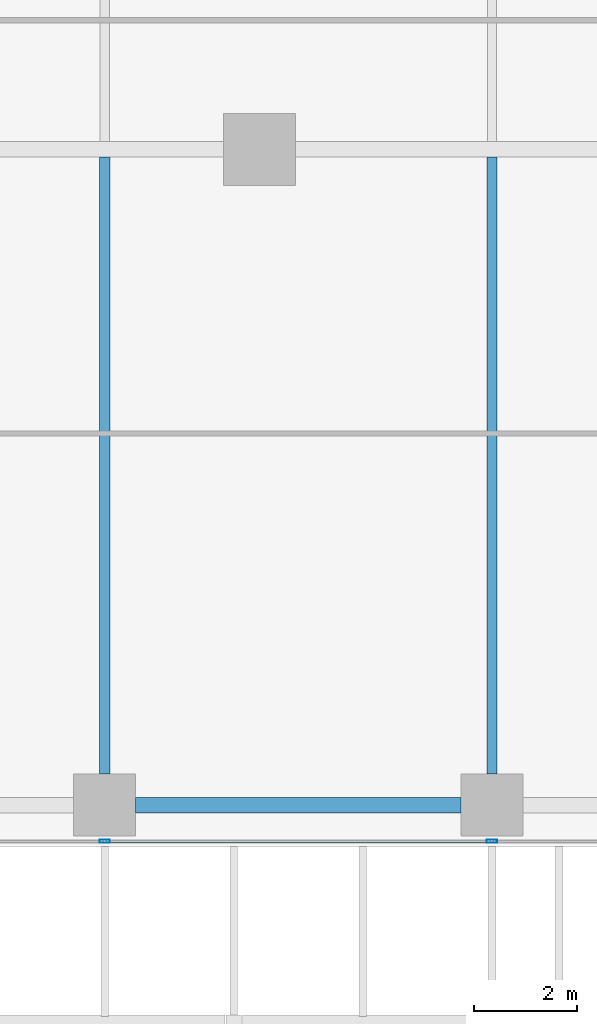
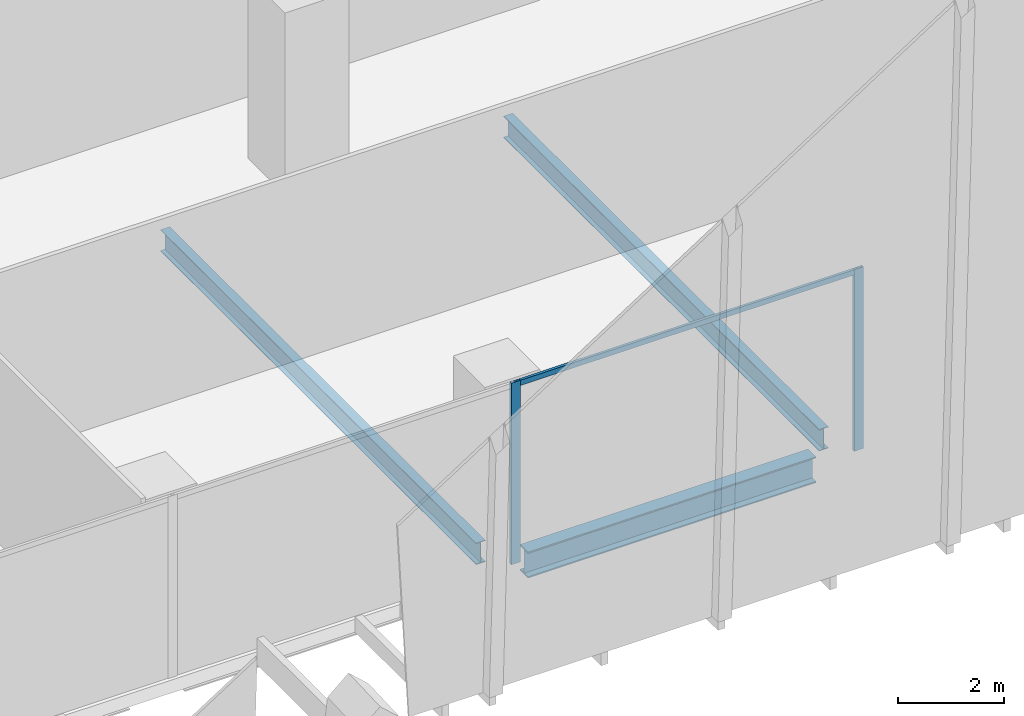
# One storey, part 7 of 35: 3 beams, 3 members, 1 element without a shape of its own.
"""IFC4 building model written with IfcOpenShell, lengths in metres."""

from ifc_helpers import new_model, si_unit, direction, frame, origin, origin_2d, place, context, subcontext, project, spatial, hollow_rectangle, i_section, extrude, source, transform, mapped, material, material_profile, profile_set, type_object, element, aggregate, save


model = new_model("IFC4")

# Units and contexts
model_context = context("Model", 3, precision=1e-05, world=origin(), true_north=direction((0.0, 1.0)))
body_context = subcontext(model_context, "Body", "Model", "MODEL_VIEW")
ifc_project = project(units=[si_unit("LENGTHUNIT", "METRE"), si_unit("AREAUNIT", "SQUARE_METRE"), si_unit("VOLUMEUNIT", "CUBIC_METRE"), si_unit("PLANEANGLEUNIT", "RADIAN"), si_unit("MASSUNIT", "GRAM", prefix="KILO")], contexts=[model_context])

# Site, building, storey
site_placement = place(None, origin())
site = spatial("IfcSite", under=ifc_project, at=site_placement, CompositionType="ELEMENT")
building_placement = place(site_placement, origin())
building = spatial("IfcBuilding", under=site, at=building_placement, Name="Khomas Fold Tower", CompositionType="ELEMENT")
storey_placement = place(building_placement, frame((0.0, 0.0, 87.0)))
storey = spatial("IfcBuildingStorey", under=building, at=storey_placement, Name="L18", CompositionType="ELEMENT", Elevation=87.0)

# Beams
ifc_material_1 = material(Name="Steel S355", Category="steel")
ifc_material_profile_1 = material_profile(ifc_material_1, i_section(OverallWidth=0.300048828125, OverallDepth=0.60009765625, WebThickness=0.015380859375, FlangeThickness=0.030029296875, at=origin_2d()), Name="HE 600 B")
ifc_profile_set_1 = profile_set([ifc_material_profile_1], Name="Steel S355")
beam_type_1 = type_object("IfcBeamType", Name="HE 600 B spandrel SB1", PredefinedType="SPANDREL", material=ifc_profile_set_1)
shared_shape_1 = source(origin(), body_context, "Body", "SweptSolid", [
    extrude(i_section(OverallWidth=0.300048828125, OverallDepth=0.60009765625, WebThickness=0.015380859375, FlangeThickness=0.030029296875, at=origin_2d()), origin(), (0.0, 0.0, 1.0), 6.2998046875),
])
beam_placement = place(storey_placement, frame((35.10009765625, 0.800048828125, -0.60009765625), z_axis=(1.0, 0.0, 0.0), x_axis=(0.0, 1.0, 0.0)))
element("IfcBeam", 1, at=beam_placement, inside=storey, type_object=beam_type_1, Name="SB1", PredefinedType="SPANDREL", context=body_context, shape_type="MappedRepresentation", body=[
    mapped(shared_shape_1, transform((0.0, 0.0, 0.0))),
])
ifc_material_2 = material(Name="Steel S355", Category="steel")
ifc_material_profile_2 = material_profile(ifc_material_2, i_section(OverallWidth=0.199951171875, OverallDepth=0.5, WebThickness=0.01025390625, FlangeThickness=0.01611328125, at=origin_2d()), Name="IPE 500")
ifc_profile_set_2 = profile_set([ifc_material_profile_2], Name="Steel S355")
beam_type_2 = type_object("IfcBeamType", Name="IPE 500 beam JB5", PredefinedType="BEAM", material=ifc_profile_set_2)
shared_shape_2 = source(origin(), body_context, "Body", "SweptSolid", [
    extrude(i_section(OverallWidth=0.199951171875, OverallDepth=0.5, WebThickness=0.01025390625, FlangeThickness=0.01611328125, at=origin_2d()), origin(), (0.0, 0.0, 1.0), 11.9501953125),
])
for number, where, z_axis, x_axis, name in (
    (2, (34.5, 1.39990234375, -0.550048828125), (0.0, 1.0, 0.0), (-1.0, 0.0, 0.0), "JB5"),
    (3, (42.0, 1.39990234375, -0.550048828125), (0.0, 1.0, 0.0), (-1.0, 0.0, 0.0), "JB5"),
):
    element("IfcBeam", number, at=place(storey_placement, frame(where, z_axis=z_axis, x_axis=x_axis)), inside=storey, type_object=beam_type_2, Name=name, PredefinedType="BEAM", context=body_context, shape_type="MappedRepresentation", body=[
        mapped(shared_shape_2, transform((0.0, 0.0, 0.0))),
    ])

# Curtain wall, members
ifc_material_3 = material(Name="Aluminium framed double glazing", Category="aluminium")
curtain_wall_type = type_object("IfcCurtainWallType", Name="SK-Unitised clear-glass wall, growing floors CW1", PredefinedType="NOTDEFINED", material=ifc_material_3)
curtain_wall_placement = place(storey_placement, origin())
curtain_wall = element("IfcCurtainWall", 4, at=curtain_wall_placement, inside=storey, type_object=curtain_wall_type, Name="CW1 run L18 00-0", PredefinedType="NOTDEFINED")
ifc_material_4 = material(Name="Aluminium", Category="aluminium")
ifc_material_profile_3 = material_profile(ifc_material_4, hollow_rectangle(XDim=0.06005859375, YDim=0.1201171875, WallThickness=0.00390625, at=origin_2d()), Name="SK-Unitised clear-glass wall, growing floors transom CW1-T")
ifc_profile_set_3 = profile_set([ifc_material_profile_3], Name="Aluminium")
member_type_1 = type_object("IfcMemberType", Name="SK-Unitised clear-glass wall, growing floors transom CW1-T", PredefinedType="USERDEFINED", material=ifc_profile_set_3)
shared_shape_3 = source(origin(), body_context, "Body", "SweptSolid", [
    extrude(hollow_rectangle(XDim=0.06005859375, YDim=0.1201171875, WallThickness=0.00390625, at=origin_2d()), origin(), (0.0, 0.0, 1.0), 7.43994140625),
])
member_1_placement = place(storey_placement, frame((34.530029296875, 0.10009765625, 4.139892578125), z_axis=(1.0, 0.0, 0.0), x_axis=(0.0, 1.0, 0.0)))
member_1 = element("IfcMember", 5, at=member_1_placement, type_object=member_type_1, Name="CW1 transom 6", ObjectType="TRANSOM", PredefinedType="USERDEFINED", context=body_context, shape_type="MappedRepresentation", body=[
    mapped(shared_shape_3, transform((0.0, 0.0, 0.0))),
])
ifc_material_5 = material(Name="Aluminium", Category="aluminium")
ifc_material_profile_4 = material_profile(ifc_material_5, hollow_rectangle(XDim=0.06005859375, YDim=0.199951171875, WallThickness=0.00390625, at=origin_2d()), Name="SK-Unitised clear-glass wall, growing floors mullion CW1-M")
ifc_profile_set_4 = profile_set([ifc_material_profile_4], Name="Aluminium")
member_type_2 = type_object("IfcMemberType", Name="SK-Unitised clear-glass wall, growing floors mullion CW1-M", PredefinedType="MULLION", material=ifc_profile_set_4)
shared_shape_4 = source(origin(), body_context, "Body", "SweptSolid", [
    extrude(hollow_rectangle(XDim=0.06005859375, YDim=0.199951171875, WallThickness=0.00390625, at=origin_2d()), origin(), (0.0, 0.0, 1.0), 4.199951171875),
])
member_2_placement = place(storey_placement, frame((34.5, 0.10009765625, 0.0), z_axis=(0.0, 0.0, 1.0), x_axis=(0.0, 1.0, 0.0)))
member_2 = element("IfcMember", 6, at=member_2_placement, type_object=member_type_2, Name="CW1 mullion 6", PredefinedType="MULLION", context=body_context, shape_type="MappedRepresentation", body=[
    mapped(shared_shape_4, transform((0.0, 0.0, 0.0))),
])
member_3_placement = place(storey_placement, frame((42.0, 0.10009765625, 0.0), z_axis=(0.0, 0.0, 1.0), x_axis=(0.0, 1.0, 0.0)))
member_3 = element("IfcMember", 7, at=member_3_placement, type_object=member_type_2, Name="CW1 mullion 7", PredefinedType="MULLION", context=body_context, shape_type="MappedRepresentation", body=[
    mapped(shared_shape_4, transform((0.0, 0.0, 0.0))),
])
aggregate(curtain_wall, [member_2, member_3, member_1])

save(model, "model.ifc")
